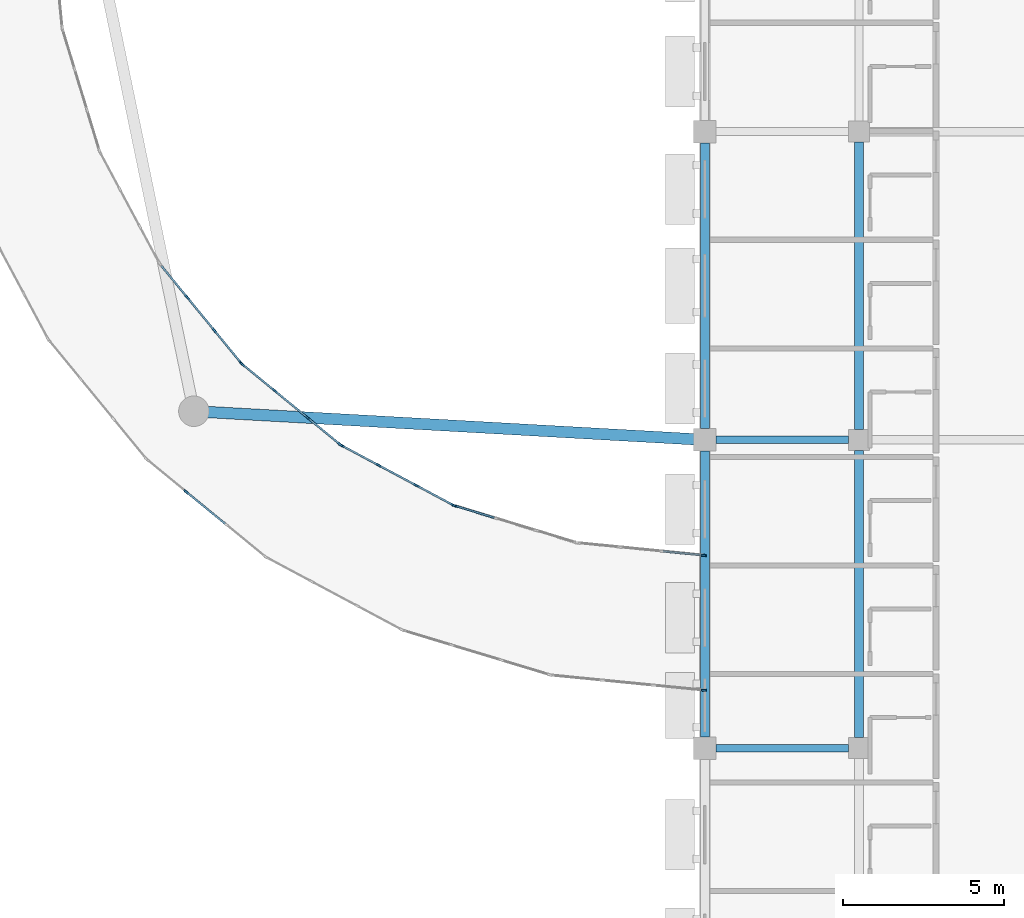
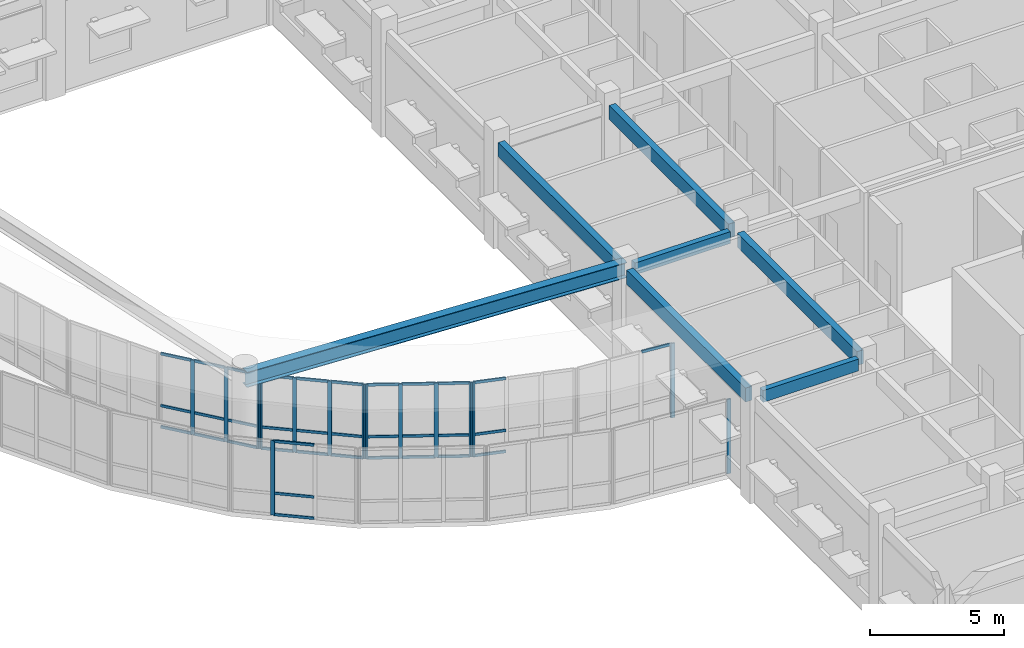
# One storey, part 30 of 68: 49 members, 7 beams, 7 elements without a shape of their own.
"""IFC4 building model written with IfcOpenShell, lengths in metres."""

from ifc_helpers import new_model, si_unit, direction, frame, origin, origin_2d, place, context, subcontext, project, spatial, rectangle, i_section, extrude, material, material_profile, profile_set, type_object, element, aggregate, save


model = new_model("IFC4")

# Units and contexts
model_context = context("Model", 3, precision=1e-05, world=origin(), true_north=direction((0.0, 1.0)))
body_context = subcontext(model_context, "Body", "Model", "MODEL_VIEW")
ifc_project = project(units=[si_unit("LENGTHUNIT", "METRE"), si_unit("AREAUNIT", "SQUARE_METRE"), si_unit("VOLUMEUNIT", "CUBIC_METRE"), si_unit("PLANEANGLEUNIT", "RADIAN"), si_unit("MASSUNIT", "GRAM", prefix="KILO")], contexts=[model_context])

# Site, building, storey
site_placement = place(None, origin())
site = spatial("IfcSite", under=ifc_project, at=site_placement, CompositionType="ELEMENT")
building_placement = place(site_placement, origin())
building = spatial("IfcBuilding", under=site, at=building_placement, Name="Veldera Park Congress Hotel", CompositionType="ELEMENT")
storey_placement = place(building_placement, frame((0.0, 0.0, 10.800048828125)))
storey = spatial("IfcBuildingStorey", under=building, at=storey_placement, Name="L02", CompositionType="ELEMENT", Elevation=10.800048828125)

# Beams
ifc_material_1 = material(Name="Glulam GL28h (NDS 24F-V4)", Category="wood")
ifc_material_profile_1 = material_profile(ifc_material_1, rectangle(XDim=0.239990234375, YDim=0.5400390625, at=origin_2d()), Name="GL28h 240x540")
ifc_profile_set_1 = profile_set([ifc_material_profile_1], Name="Glulam GL28h (NDS 24F-V4)")
beam_type_1 = type_object("IfcBeamType", Name="BM-GL540", PredefinedType="BEAM", material=ifc_profile_set_1)
for number, where, z_axis, x_axis, name in (
    (1, (61.14990234375, -9.0, 4.530029296875), (1.0, 0.0, 0.0), (0.0, 1.0, 0.0), "L02 Girder BM-GL540 852"),
    (2, (61.14990234375, 0.60009765625, 4.530029296875), (1.0, 0.0, 0.0), (0.0, 1.0, 0.0), "L02 Girder BM-GL540 856"),
):
    element("IfcBeam", number, at=place(storey_placement, frame(where, z_axis=z_axis, x_axis=x_axis)), inside=storey, type_object=beam_type_1, Name=name, PredefinedType="BEAM", context=body_context, shape_type="SweptSolid", body=[
        extrude(rectangle(XDim=0.239990234375, YDim=0.5400390625, at=origin_2d()), origin(), (0.0, 0.0, 1.0), 4.125),
    ])
ifc_material_profile_2 = material_profile(ifc_material_1, rectangle(XDim=0.280029296875, YDim=0.639892578125, at=origin_2d()), Name="GL28h 280x640")
ifc_profile_set_2 = profile_set([ifc_material_profile_2], Name="Glulam GL28h (NDS 24F-V4)")
beam_type_2 = type_object("IfcBeamType", Name="BM-GL640", PredefinedType="BEAM", material=ifc_profile_set_2)
beam_1_placement = place(storey_placement, frame((60.800048828125, -8.64990234375, 4.47998046875), z_axis=(0.0, 1.0, 0.0), x_axis=(-1.0, 0.0, 0.0)))
element("IfcBeam", 3, at=beam_1_placement, inside=storey, type_object=beam_type_2, Name="L02 Girder BM-GL640 993", PredefinedType="BEAM", context=body_context, shape_type="SweptSolid", body=[
    extrude(rectangle(XDim=0.280029296875, YDim=0.639892578125, at=origin_2d()), origin(), (0.0, 0.0, 1.0), 8.89990234375),
])
beam_2_placement = place(storey_placement, frame((60.800048828125, 0.949951171875, 4.47998046875), z_axis=(0.0, 1.0, 0.0), x_axis=(-1.0, 0.0, 0.0)))
element("IfcBeam", 4, at=beam_2_placement, inside=storey, type_object=beam_type_2, Name="L02 Girder BM-GL640 994", PredefinedType="BEAM", context=body_context, shape_type="SweptSolid", body=[
    extrude(rectangle(XDim=0.280029296875, YDim=0.639892578125, at=origin_2d()), origin(), (0.0, 0.0, 1.0), 8.900146484375),
])
for number, where, z_axis, x_axis, name in (
    (5, (65.60009765625, -8.675048828125, 4.47998046875), (0.0, 1.0, 0.0), (-1.0, 0.0, 0.0), "L02 Girder BM-GL640 1000"),
    (6, (65.60009765625, 0.925048828125, 4.47998046875), (0.0, 1.0, 0.0), (-1.0, 0.0, 0.0), "L02 Girder BM-GL640 1001"),
):
    element("IfcBeam", number, at=place(storey_placement, frame(where, z_axis=z_axis, x_axis=x_axis)), inside=storey, type_object=beam_type_2, Name=name, PredefinedType="BEAM", context=body_context, shape_type="SweptSolid", body=[
        extrude(rectangle(XDim=0.280029296875, YDim=0.639892578125, at=origin_2d()), origin(), (0.0, 0.0, 1.0), 8.949951171875),
    ])
ifc_material_2 = material(Name="Steel ASTM A992 Gr.50", Category="steel")
ifc_material_profile_3 = material_profile(ifc_material_2, i_section(OverallWidth=0.35498046875, OverallDepth=0.696044921875, WebThickness=0.015380859375, FlangeThickness=0.02490234375, at=origin_2d()), Name="W27X146")
ifc_profile_set_3 = profile_set([ifc_material_profile_3], Name="Steel ASTM A992 Gr.50")
beam_type_3 = type_object("IfcBeamType", Name="BM-W27E", PredefinedType="BEAM", material=ifc_profile_set_3)
beam_3_placement = place(storey_placement, frame((60.800048828125, 0.60009765625, 4.64990234375), z_axis=(-0.998439398409, 0.055845928264, 0.0), x_axis=(-0.055845928264, -0.998439398409, 0.0)))
element("IfcBeam", 7, at=beam_3_placement, inside=storey, type_object=beam_type_3, Name="L02 Skybridge Support Girder A E", PredefinedType="BEAM", context=body_context, shape_type="SweptSolid", body=[
    extrude(i_section(OverallWidth=0.35498046875, OverallDepth=0.696044921875, WebThickness=0.015380859375, FlangeThickness=0.02490234375, at=origin_2d()), origin(), (0.0, 0.0, 1.0), 15.934814453125),
])

# Curtain wall, member
ifc_material_3 = material(Name="Low-E Triple Insulating Glass Unit (SHGC 0.22)", Category="glass")
curtain_wall_type = type_object("IfcCurtainWallType", Name="CW-BRG", PredefinedType="NOTDEFINED", material=ifc_material_3)
curtain_wall_1_placement = place(storey_placement, origin())
curtain_wall_1 = element("IfcCurtainWall", 8, at=curtain_wall_1_placement, inside=storey, type_object=curtain_wall_type, Name="L02 Curtain Wall CW3-BRGE-L02-A04", PredefinedType="NOTDEFINED")
ifc_material_4 = material(Name="Anodised Aluminium Alloy 6063-T6", Category="aluminium")
ifc_material_profile_4 = material_profile(ifc_material_4, rectangle(XDim=0.06005859375, YDim=0.159912109375, at=origin_2d()), Name="ALU 60x160")
ifc_profile_set_4 = profile_set([ifc_material_profile_4], Name="Anodised Aluminium Alloy 6063-T6")
member_type_1 = type_object("IfcMemberType", Name="CWM-160", PredefinedType="MULLION", material=ifc_profile_set_4)
member_1_placement = place(storey_placement, frame((44.647705078125, -1.0146484375, 0.0), z_axis=(0.0, 0.0, 1.0), x_axis=(0.634402404183, 0.773002968666, 0.0)))
member_1 = element("IfcMember", 9, at=member_1_placement, type_object=member_type_1, Name="CW-BRG mullion 2", PredefinedType="MULLION", context=body_context, shape_type="SweptSolid", body=[
    extrude(rectangle(XDim=0.06005859375, YDim=0.159912109375, at=origin_2d()), origin(), (0.0, 0.0, 1.0), 3.39990234375),
])

curtain_wall_2_placement = place(storey_placement, origin())
curtain_wall_2 = element("IfcCurtainWall", 10, at=curtain_wall_2_placement, inside=storey, type_object=curtain_wall_type, Name="L02 Curtain Wall CW3-BRGE-L02-A07", PredefinedType="NOTDEFINED")
member_2_placement = place(storey_placement, frame((60.770263671875, -7.197021484375, 0.0), z_axis=(0.0, 0.0, 1.0), x_axis=(0.098021259481, 0.995184320963, 0.0)))
member_2 = element("IfcMember", 11, at=member_2_placement, type_object=member_type_1, Name="CW-BRG mullion 4", PredefinedType="MULLION", context=body_context, shape_type="SweptSolid", body=[
    extrude(rectangle(XDim=0.06005859375, YDim=0.159912109375, at=origin_2d()), origin(), (0.0, 0.0, 1.0), 3.39990234375),
])
aggregate(curtain_wall_2, [member_2])

curtain_wall_3_placement = place(storey_placement, origin())
curtain_wall_3 = element("IfcCurtainWall", 12, at=curtain_wall_3_placement, inside=storey, type_object=curtain_wall_type, Name="L02 Curtain Wall CW3-BRGE-L02-B09", PredefinedType="NOTDEFINED")
member_3_placement = place(storey_placement, frame((60.770263671875, -2.9970703125, 0.0), z_axis=(0.0, 0.0, 1.0), x_axis=(-0.098023062513, -0.99518414337, 0.0)))
member_3 = element("IfcMember", 13, at=member_3_placement, type_object=member_type_1, Name="CW-BRG mullion 1", PredefinedType="MULLION", context=body_context, shape_type="SweptSolid", body=[
    extrude(rectangle(XDim=0.06005859375, YDim=0.159912109375, at=origin_2d()), origin(), (0.0, 0.0, 1.0), 3.39990234375),
])

curtain_wall_4_placement = place(storey_placement, origin())
curtain_wall_4 = element("IfcCurtainWall", 14, at=curtain_wall_4_placement, inside=storey, type_object=curtain_wall_type, Name="L02 Curtain Wall CW3-BRGE-L02-B10", PredefinedType="NOTDEFINED")
member_4_placement = place(storey_placement, frame((53.02197265625, -1.455810546875, 0.0), z_axis=(0.0, 0.0, 1.0), x_axis=(-0.290289846929, -0.956938767513, 0.0)))
member_4 = element("IfcMember", 15, at=member_4_placement, type_object=member_type_1, Name="CW-BRG mullion 4", PredefinedType="MULLION", context=body_context, shape_type="SweptSolid", body=[
    extrude(rectangle(XDim=0.06005859375, YDim=0.159912109375, at=origin_2d()), origin(), (0.0, 0.0, 1.0), 3.39990234375),
])

# Curtain wall, members
curtain_wall_5_placement = place(storey_placement, origin())
curtain_wall_5 = element("IfcCurtainWall", 16, at=curtain_wall_5_placement, inside=storey, type_object=curtain_wall_type, Name="L02 Curtain Wall CW3-BRGE-L02-B11", PredefinedType="NOTDEFINED")
member_5_placement = place(storey_placement, frame((52.966796875, -1.432861328125, 0.0), z_axis=(0.0, 0.0, 1.0), x_axis=(-0.471383642588, -0.881928263239, 0.0)))
member_5 = element("IfcMember", 17, at=member_5_placement, type_object=member_type_1, Name="CW-BRG mullion 1", PredefinedType="MULLION", context=body_context, shape_type="SweptSolid", body=[
    extrude(rectangle(XDim=0.06005859375, YDim=0.159912109375, at=origin_2d()), origin(), (0.0, 0.0, 1.0), 3.39990234375),
])
member_6_placement = place(storey_placement, frame((51.817626953125, -0.81884765625, 0.0), z_axis=(0.0, 0.0, 1.0), x_axis=(-0.471383642588, -0.881928263239, 0.0)))
member_6 = element("IfcMember", 18, at=member_6_placement, type_object=member_type_1, Name="CW-BRG mullion 2", PredefinedType="MULLION", context=body_context, shape_type="SweptSolid", body=[
    extrude(rectangle(XDim=0.06005859375, YDim=0.159912109375, at=origin_2d()), origin(), (0.0, 0.0, 1.0), 3.39990234375),
])
member_7_placement = place(storey_placement, frame((50.64208984375, -0.1904296875, 0.0), z_axis=(0.0, 0.0, 1.0), x_axis=(-0.471383642588, -0.881928263239, 0.0)))
member_7 = element("IfcMember", 19, at=member_7_placement, type_object=member_type_1, Name="CW-BRG mullion 3", PredefinedType="MULLION", context=body_context, shape_type="SweptSolid", body=[
    extrude(rectangle(XDim=0.06005859375, YDim=0.159912109375, at=origin_2d()), origin(), (0.0, 0.0, 1.0), 3.39990234375),
])
member_8_placement = place(storey_placement, frame((49.492919921875, 0.423828125, 0.0), z_axis=(0.0, 0.0, 1.0), x_axis=(-0.471383642588, -0.881928263239, 0.0)))
member_8 = element("IfcMember", 20, at=member_8_placement, type_object=member_type_1, Name="CW-BRG mullion 4", PredefinedType="MULLION", context=body_context, shape_type="SweptSolid", body=[
    extrude(rectangle(XDim=0.06005859375, YDim=0.159912109375, at=origin_2d()), origin(), (0.0, 0.0, 1.0), 3.39990234375),
])

curtain_wall_6_placement = place(storey_placement, origin())
curtain_wall_6 = element("IfcCurtainWall", 21, at=curtain_wall_6_placement, inside=storey, type_object=curtain_wall_type, Name="L02 Curtain Wall CW3-BRGE-L02-B12", PredefinedType="NOTDEFINED")
member_9_placement = place(storey_placement, frame((49.443115234375, 0.45703125, 0.0), z_axis=(0.0, 0.0, 1.0), x_axis=(-0.634386349036, -0.773016144823, 0.0)))
member_9 = element("IfcMember", 22, at=member_9_placement, type_object=member_type_1, Name="CW-BRG mullion 1", PredefinedType="MULLION", context=body_context, shape_type="SweptSolid", body=[
    extrude(rectangle(XDim=0.06005859375, YDim=0.159912109375, at=origin_2d()), origin(), (0.0, 0.0, 1.0), 3.39990234375),
])
member_10_placement = place(storey_placement, frame((48.43603515625, 1.28369140625, 0.0), z_axis=(0.0, 0.0, 1.0), x_axis=(-0.634386349036, -0.773016144823, 0.0)))
member_10 = element("IfcMember", 23, at=member_10_placement, type_object=member_type_1, Name="CW-BRG mullion 2", PredefinedType="MULLION", context=body_context, shape_type="SweptSolid", body=[
    extrude(rectangle(XDim=0.06005859375, YDim=0.159912109375, at=origin_2d()), origin(), (0.0, 0.0, 1.0), 3.39990234375),
])
member_11_placement = place(storey_placement, frame((47.405517578125, 2.12939453125, 0.0), z_axis=(0.0, 0.0, 1.0), x_axis=(-0.634386349036, -0.773016144823, 0.0)))
member_11 = element("IfcMember", 24, at=member_11_placement, type_object=member_type_1, Name="CW-BRG mullion 3", PredefinedType="MULLION", context=body_context, shape_type="SweptSolid", body=[
    extrude(rectangle(XDim=0.06005859375, YDim=0.159912109375, at=origin_2d()), origin(), (0.0, 0.0, 1.0), 3.39990234375),
])
member_12_placement = place(storey_placement, frame((46.398193359375, 2.9560546875, 0.0), z_axis=(0.0, 0.0, 1.0), x_axis=(-0.634386349036, -0.773016144823, 0.0)))
member_12 = element("IfcMember", 25, at=member_12_placement, type_object=member_type_1, Name="CW-BRG mullion 4", PredefinedType="MULLION", context=body_context, shape_type="SweptSolid", body=[
    extrude(rectangle(XDim=0.06005859375, YDim=0.159912109375, at=origin_2d()), origin(), (0.0, 0.0, 1.0), 3.39990234375),
])

curtain_wall_7_placement = place(storey_placement, origin())
curtain_wall_7 = element("IfcCurtainWall", 26, at=curtain_wall_7_placement, inside=storey, type_object=curtain_wall_type, Name="L02 Curtain Wall CW3-BRGE-L02-B13", PredefinedType="NOTDEFINED")
member_13_placement = place(storey_placement, frame((46.35595703125, 2.998291015625, 0.0), z_axis=(0.0, 0.0, 1.0), x_axis=(-0.773016144823, -0.634386349036, 0.0)))
member_13 = element("IfcMember", 27, at=member_13_placement, type_object=member_type_1, Name="CW-BRG mullion 1", PredefinedType="MULLION", context=body_context, shape_type="SweptSolid", body=[
    extrude(rectangle(XDim=0.06005859375, YDim=0.159912109375, at=origin_2d()), origin(), (0.0, 0.0, 1.0), 3.39990234375),
])
member_14_placement = place(storey_placement, frame((45.529296875, 4.00537109375, 0.0), z_axis=(0.0, 0.0, 1.0), x_axis=(-0.773016144823, -0.634386349036, 0.0)))
member_14 = element("IfcMember", 28, at=member_14_placement, type_object=member_type_1, Name="CW-BRG mullion 2", PredefinedType="MULLION", context=body_context, shape_type="SweptSolid", body=[
    extrude(rectangle(XDim=0.06005859375, YDim=0.159912109375, at=origin_2d()), origin(), (0.0, 0.0, 1.0), 3.39990234375),
])
member_15_placement = place(storey_placement, frame((44.68359375, 5.035888671875, 0.0), z_axis=(0.0, 0.0, 1.0), x_axis=(-0.773016144823, -0.634386349036, 0.0)))
member_15 = element("IfcMember", 29, at=member_15_placement, type_object=member_type_1, Name="CW-BRG mullion 3", PredefinedType="MULLION", context=body_context, shape_type="SweptSolid", body=[
    extrude(rectangle(XDim=0.06005859375, YDim=0.159912109375, at=origin_2d()), origin(), (0.0, 0.0, 1.0), 3.39990234375),
])

# Member
ifc_material_profile_5 = material_profile(ifc_material_4, rectangle(XDim=0.06005859375, YDim=0.1201171875, at=origin_2d()), Name="ALU 60x120")
ifc_profile_set_5 = profile_set([ifc_material_profile_5], Name="Anodised Aluminium Alloy 6063-T6")
member_type_2 = type_object("IfcMemberType", Name="CWT-120", PredefinedType="USERDEFINED", material=ifc_profile_set_5)
member_16_placement = place(storey_placement, frame((44.6708984375, -1.03369140625, 0.030029296875), z_axis=(0.773035679716, -0.634362544518, 0.0), x_axis=(0.634362544518, 0.773035679716, 0.0)))
member_16 = element("IfcMember", 30, at=member_16_placement, type_object=member_type_2, Name="CW-BRG transom 2.1", ObjectType="TRANSOM", PredefinedType="USERDEFINED", context=body_context, shape_type="SweptSolid", body=[
    extrude(rectangle(XDim=0.06005859375, YDim=0.1201171875, at=origin_2d()), origin(), (0.0, 0.0, 1.0), 1.547607421875),
])

member_17_placement = place(storey_placement, frame((44.6708984375, -1.03369140625, 1.0), z_axis=(0.773035679716, -0.634362544518, 0.0), x_axis=(0.634362544518, 0.773035679716, 0.0)))
member_17 = element("IfcMember", 31, at=member_17_placement, type_object=member_type_2, Name="CW-BRG transom 2.2", ObjectType="TRANSOM", PredefinedType="USERDEFINED", context=body_context, shape_type="SweptSolid", body=[
    extrude(rectangle(XDim=0.06005859375, YDim=0.1201171875, at=origin_2d()), origin(), (0.0, 0.0, 1.0), 1.547607421875),
])

member_18_placement = place(storey_placement, frame((44.6708984375, -1.03369140625, 3.369873046875), z_axis=(0.773035679716, -0.634362544518, 0.0), x_axis=(0.634362544518, 0.773035679716, 0.0)))
member_18 = element("IfcMember", 32, at=member_18_placement, type_object=member_type_2, Name="CW-BRG transom 2.3", ObjectType="TRANSOM", PredefinedType="USERDEFINED", context=body_context, shape_type="SweptSolid", body=[
    extrude(rectangle(XDim=0.06005859375, YDim=0.1201171875, at=origin_2d()), origin(), (0.0, 0.0, 1.0), 1.547607421875),
])

aggregate(curtain_wall_1, [member_1, member_16, member_17, member_18])

member_19_placement = place(storey_placement, frame((60.740234375, -2.994140625, 3.369873046875), z_axis=(-0.995185798349, 0.098006258807, 0.0), x_axis=(-0.098006258807, -0.995185798349, 0.0)))
member_19 = element("IfcMember", 33, at=member_19_placement, type_object=member_type_2, Name="CW-BRG transom 1.3", ObjectType="TRANSOM", PredefinedType="USERDEFINED", context=body_context, shape_type="SweptSolid", body=[
    extrude(rectangle(XDim=0.06005859375, YDim=0.1201171875, at=origin_2d()), origin(), (0.0, 0.0, 1.0), 1.2431640625),
])

aggregate(curtain_wall_3, [member_3, member_19])

member_20_placement = place(storey_placement, frame((54.240234375, -1.825439453125, 0.030029296875), z_axis=(-0.956935154583, 0.290301756665, 0.0), x_axis=(-0.290301756665, -0.956935154583, 0.0)))
member_20 = element("IfcMember", 34, at=member_20_placement, type_object=member_type_2, Name="CW-BRG transom 3.1", ObjectType="TRANSOM", PredefinedType="USERDEFINED", context=body_context, shape_type="SweptSolid", body=[
    extrude(rectangle(XDim=0.06005859375, YDim=0.1201171875, at=origin_2d()), origin(), (0.0, 0.0, 1.0), 1.242919921875),
])

member_21_placement = place(storey_placement, frame((54.240234375, -1.825439453125, 1.0), z_axis=(-0.956935154583, 0.290301756665, 0.0), x_axis=(-0.290301756665, -0.956935154583, 0.0)))
member_21 = element("IfcMember", 35, at=member_21_placement, type_object=member_type_2, Name="CW-BRG transom 3.2", ObjectType="TRANSOM", PredefinedType="USERDEFINED", context=body_context, shape_type="SweptSolid", body=[
    extrude(rectangle(XDim=0.06005859375, YDim=0.1201171875, at=origin_2d()), origin(), (0.0, 0.0, 1.0), 1.242919921875),
])

member_22_placement = place(storey_placement, frame((54.240234375, -1.825439453125, 3.369873046875), z_axis=(-0.956935154583, 0.290301756665, 0.0), x_axis=(-0.290301756665, -0.956935154583, 0.0)))
member_22 = element("IfcMember", 36, at=member_22_placement, type_object=member_type_2, Name="CW-BRG transom 3.3", ObjectType="TRANSOM", PredefinedType="USERDEFINED", context=body_context, shape_type="SweptSolid", body=[
    extrude(rectangle(XDim=0.06005859375, YDim=0.1201171875, at=origin_2d()), origin(), (0.0, 0.0, 1.0), 1.242919921875),
])

aggregate(curtain_wall_4, [member_4, member_20, member_21, member_22])

member_23_placement = place(storey_placement, frame((52.9404296875, -1.418701171875, 0.030029296875), z_axis=(-0.881917589752, 0.471403611449, 0.0), x_axis=(-0.471403611449, -0.881917589752, 0.0)))
member_23 = element("IfcMember", 37, at=member_23_placement, type_object=member_type_2, Name="CW-BRG transom 1.1", ObjectType="TRANSOM", PredefinedType="USERDEFINED", context=body_context, shape_type="SweptSolid", body=[
    extrude(rectangle(XDim=0.06005859375, YDim=0.1201171875, at=origin_2d()), origin(), (0.0, 0.0, 1.0), 1.242919921875),
])

member_24_placement = place(storey_placement, frame((52.9404296875, -1.418701171875, 1.0), z_axis=(-0.881917589752, 0.471403611449, 0.0), x_axis=(-0.471403611449, -0.881917589752, 0.0)))
member_24 = element("IfcMember", 38, at=member_24_placement, type_object=member_type_2, Name="CW-BRG transom 1.2", ObjectType="TRANSOM", PredefinedType="USERDEFINED", context=body_context, shape_type="SweptSolid", body=[
    extrude(rectangle(XDim=0.06005859375, YDim=0.1201171875, at=origin_2d()), origin(), (0.0, 0.0, 1.0), 1.242919921875),
])

member_25_placement = place(storey_placement, frame((52.9404296875, -1.418701171875, 3.369873046875), z_axis=(-0.881917589752, 0.471403611449, 0.0), x_axis=(-0.471403611449, -0.881917589752, 0.0)))
member_25 = element("IfcMember", 39, at=member_25_placement, type_object=member_type_2, Name="CW-BRG transom 1.3", ObjectType="TRANSOM", PredefinedType="USERDEFINED", context=body_context, shape_type="SweptSolid", body=[
    extrude(rectangle(XDim=0.06005859375, YDim=0.1201171875, at=origin_2d()), origin(), (0.0, 0.0, 1.0), 1.242919921875),
])

member_26_placement = place(storey_placement, frame((51.791259765625, -0.8046875, 0.030029296875), z_axis=(-0.88193854117, 0.471364412741, 0.0), x_axis=(-0.471364412741, -0.88193854117, 0.0)))
member_26 = element("IfcMember", 40, at=member_26_placement, type_object=member_type_2, Name="CW-BRG transom 2.1", ObjectType="TRANSOM", PredefinedType="USERDEFINED", context=body_context, shape_type="SweptSolid", body=[
    extrude(rectangle(XDim=0.06005859375, YDim=0.1201171875, at=origin_2d()), origin(), (0.0, 0.0, 1.0), 1.273193359375),
])

member_27_placement = place(storey_placement, frame((51.791259765625, -0.8046875, 1.0), z_axis=(-0.88193854117, 0.471364412741, 0.0), x_axis=(-0.471364412741, -0.88193854117, 0.0)))
member_27 = element("IfcMember", 41, at=member_27_placement, type_object=member_type_2, Name="CW-BRG transom 2.2", ObjectType="TRANSOM", PredefinedType="USERDEFINED", context=body_context, shape_type="SweptSolid", body=[
    extrude(rectangle(XDim=0.06005859375, YDim=0.1201171875, at=origin_2d()), origin(), (0.0, 0.0, 1.0), 1.273193359375),
])

member_28_placement = place(storey_placement, frame((51.791259765625, -0.8046875, 3.369873046875), z_axis=(-0.88193854117, 0.471364412741, 0.0), x_axis=(-0.471364412741, -0.88193854117, 0.0)))
member_28 = element("IfcMember", 42, at=member_28_placement, type_object=member_type_2, Name="CW-BRG transom 2.3", ObjectType="TRANSOM", PredefinedType="USERDEFINED", context=body_context, shape_type="SweptSolid", body=[
    extrude(rectangle(XDim=0.06005859375, YDim=0.1201171875, at=origin_2d()), origin(), (0.0, 0.0, 1.0), 1.273193359375),
])

member_29_placement = place(storey_placement, frame((50.615478515625, -0.17626953125, 0.030029296875), z_axis=(-0.881917589752, 0.471403611449, 0.0), x_axis=(-0.471403611449, -0.881917589752, 0.0)))
member_29 = element("IfcMember", 43, at=member_29_placement, type_object=member_type_2, Name="CW-BRG transom 3.1", ObjectType="TRANSOM", PredefinedType="USERDEFINED", context=body_context, shape_type="SweptSolid", body=[
    extrude(rectangle(XDim=0.06005859375, YDim=0.1201171875, at=origin_2d()), origin(), (0.0, 0.0, 1.0), 1.242919921875),
])

member_30_placement = place(storey_placement, frame((50.615478515625, -0.17626953125, 1.0), z_axis=(-0.881917589752, 0.471403611449, 0.0), x_axis=(-0.471403611449, -0.881917589752, 0.0)))
member_30 = element("IfcMember", 44, at=member_30_placement, type_object=member_type_2, Name="CW-BRG transom 3.2", ObjectType="TRANSOM", PredefinedType="USERDEFINED", context=body_context, shape_type="SweptSolid", body=[
    extrude(rectangle(XDim=0.06005859375, YDim=0.1201171875, at=origin_2d()), origin(), (0.0, 0.0, 1.0), 1.242919921875),
])

member_31_placement = place(storey_placement, frame((50.615478515625, -0.17626953125, 3.369873046875), z_axis=(-0.881917589752, 0.471403611449, 0.0), x_axis=(-0.471403611449, -0.881917589752, 0.0)))
member_31 = element("IfcMember", 45, at=member_31_placement, type_object=member_type_2, Name="CW-BRG transom 3.3", ObjectType="TRANSOM", PredefinedType="USERDEFINED", context=body_context, shape_type="SweptSolid", body=[
    extrude(rectangle(XDim=0.06005859375, YDim=0.1201171875, at=origin_2d()), origin(), (0.0, 0.0, 1.0), 1.242919921875),
])

aggregate(curtain_wall_5, [member_5, member_6, member_7, member_8, member_23, member_24, member_25, member_26, member_27, member_28, member_29, member_30, member_31])

member_32_placement = place(storey_placement, frame((49.419921875, 0.47607421875, 0.030029296875), z_axis=(-0.772949863843, 0.634467105518, 0.0), x_axis=(-0.634467105518, -0.772949863843, 0.0)))
member_32 = element("IfcMember", 46, at=member_32_placement, type_object=member_type_2, Name="CW-BRG transom 1.1", ObjectType="TRANSOM", PredefinedType="USERDEFINED", context=body_context, shape_type="SweptSolid", body=[
    extrude(rectangle(XDim=0.06005859375, YDim=0.1201171875, at=origin_2d()), origin(), (0.0, 0.0, 1.0), 1.242919921875),
])

member_33_placement = place(storey_placement, frame((49.419921875, 0.47607421875, 1.0), z_axis=(-0.772949863843, 0.634467105518, 0.0), x_axis=(-0.634467105518, -0.772949863843, 0.0)))
member_33 = element("IfcMember", 47, at=member_33_placement, type_object=member_type_2, Name="CW-BRG transom 1.2", ObjectType="TRANSOM", PredefinedType="USERDEFINED", context=body_context, shape_type="SweptSolid", body=[
    extrude(rectangle(XDim=0.06005859375, YDim=0.1201171875, at=origin_2d()), origin(), (0.0, 0.0, 1.0), 1.242919921875),
])

member_34_placement = place(storey_placement, frame((49.419921875, 0.47607421875, 3.369873046875), z_axis=(-0.772949863843, 0.634467105518, 0.0), x_axis=(-0.634467105518, -0.772949863843, 0.0)))
member_34 = element("IfcMember", 48, at=member_34_placement, type_object=member_type_2, Name="CW-BRG transom 1.3", ObjectType="TRANSOM", PredefinedType="USERDEFINED", context=body_context, shape_type="SweptSolid", body=[
    extrude(rectangle(XDim=0.06005859375, YDim=0.1201171875, at=origin_2d()), origin(), (0.0, 0.0, 1.0), 1.242919921875),
])

member_35_placement = place(storey_placement, frame((48.412841796875, 1.302734375, 0.030029296875), z_axis=(-0.773025143163, 0.634375384168, 0.0), x_axis=(-0.634375384168, -0.773025143163, 0.0)))
member_35 = element("IfcMember", 49, at=member_35_placement, type_object=member_type_2, Name="CW-BRG transom 2.1", ObjectType="TRANSOM", PredefinedType="USERDEFINED", context=body_context, shape_type="SweptSolid", body=[
    extrude(rectangle(XDim=0.06005859375, YDim=0.1201171875, at=origin_2d()), origin(), (0.0, 0.0, 1.0), 1.273193359375),
])

member_36_placement = place(storey_placement, frame((48.412841796875, 1.302734375, 1.0), z_axis=(-0.773025143163, 0.634375384168, 0.0), x_axis=(-0.634375384168, -0.773025143163, 0.0)))
member_36 = element("IfcMember", 50, at=member_36_placement, type_object=member_type_2, Name="CW-BRG transom 2.2", ObjectType="TRANSOM", PredefinedType="USERDEFINED", context=body_context, shape_type="SweptSolid", body=[
    extrude(rectangle(XDim=0.06005859375, YDim=0.1201171875, at=origin_2d()), origin(), (0.0, 0.0, 1.0), 1.273193359375),
])

member_37_placement = place(storey_placement, frame((48.412841796875, 1.302734375, 3.369873046875), z_axis=(-0.773025143163, 0.634375384168, 0.0), x_axis=(-0.634375384168, -0.773025143163, 0.0)))
member_37 = element("IfcMember", 51, at=member_37_placement, type_object=member_type_2, Name="CW-BRG transom 2.3", ObjectType="TRANSOM", PredefinedType="USERDEFINED", context=body_context, shape_type="SweptSolid", body=[
    extrude(rectangle(XDim=0.06005859375, YDim=0.1201171875, at=origin_2d()), origin(), (0.0, 0.0, 1.0), 1.273193359375),
])

member_38_placement = place(storey_placement, frame((47.38232421875, 2.1484375, 0.030029296875), z_axis=(-0.773028918218, 0.634370784005, 0.0), x_axis=(-0.634370784005, -0.773028918218, 0.0)))
member_38 = element("IfcMember", 52, at=member_38_placement, type_object=member_type_2, Name="CW-BRG transom 3.1", ObjectType="TRANSOM", PredefinedType="USERDEFINED", context=body_context, shape_type="SweptSolid", body=[
    extrude(rectangle(XDim=0.06005859375, YDim=0.1201171875, at=origin_2d()), origin(), (0.0, 0.0, 1.0), 1.2431640625),
])

member_39_placement = place(storey_placement, frame((47.38232421875, 2.1484375, 1.0), z_axis=(-0.773028918218, 0.634370784005, 0.0), x_axis=(-0.634370784005, -0.773028918218, 0.0)))
member_39 = element("IfcMember", 53, at=member_39_placement, type_object=member_type_2, Name="CW-BRG transom 3.2", ObjectType="TRANSOM", PredefinedType="USERDEFINED", context=body_context, shape_type="SweptSolid", body=[
    extrude(rectangle(XDim=0.06005859375, YDim=0.1201171875, at=origin_2d()), origin(), (0.0, 0.0, 1.0), 1.2431640625),
])

member_40_placement = place(storey_placement, frame((47.38232421875, 2.1484375, 3.369873046875), z_axis=(-0.773028918218, 0.634370784005, 0.0), x_axis=(-0.634370784005, -0.773028918218, 0.0)))
member_40 = element("IfcMember", 54, at=member_40_placement, type_object=member_type_2, Name="CW-BRG transom 3.3", ObjectType="TRANSOM", PredefinedType="USERDEFINED", context=body_context, shape_type="SweptSolid", body=[
    extrude(rectangle(XDim=0.06005859375, YDim=0.1201171875, at=origin_2d()), origin(), (0.0, 0.0, 1.0), 1.2431640625),
])

aggregate(curtain_wall_6, [member_9, member_10, member_11, member_12, member_32, member_33, member_34, member_35, member_36, member_37, member_38, member_39, member_40])

member_41_placement = place(storey_placement, frame((46.3369140625, 3.021484375, 0.030029296875), z_axis=(-0.634467105518, 0.772949863843, 0.0), x_axis=(-0.772949863843, -0.634467105518, 0.0)))
member_41 = element("IfcMember", 55, at=member_41_placement, type_object=member_type_2, Name="CW-BRG transom 1.1", ObjectType="TRANSOM", PredefinedType="USERDEFINED", context=body_context, shape_type="SweptSolid", body=[
    extrude(rectangle(XDim=0.06005859375, YDim=0.1201171875, at=origin_2d()), origin(), (0.0, 0.0, 1.0), 1.242919921875),
])

member_42_placement = place(storey_placement, frame((46.3369140625, 3.021484375, 1.0), z_axis=(-0.634467105518, 0.772949863843, 0.0), x_axis=(-0.772949863843, -0.634467105518, 0.0)))
member_42 = element("IfcMember", 56, at=member_42_placement, type_object=member_type_2, Name="CW-BRG transom 1.2", ObjectType="TRANSOM", PredefinedType="USERDEFINED", context=body_context, shape_type="SweptSolid", body=[
    extrude(rectangle(XDim=0.06005859375, YDim=0.1201171875, at=origin_2d()), origin(), (0.0, 0.0, 1.0), 1.242919921875),
])

member_43_placement = place(storey_placement, frame((46.3369140625, 3.021484375, 3.369873046875), z_axis=(-0.634467105518, 0.772949863843, 0.0), x_axis=(-0.772949863843, -0.634467105518, 0.0)))
member_43 = element("IfcMember", 57, at=member_43_placement, type_object=member_type_2, Name="CW-BRG transom 1.3", ObjectType="TRANSOM", PredefinedType="USERDEFINED", context=body_context, shape_type="SweptSolid", body=[
    extrude(rectangle(XDim=0.06005859375, YDim=0.1201171875, at=origin_2d()), origin(), (0.0, 0.0, 1.0), 1.242919921875),
])

member_44_placement = place(storey_placement, frame((45.51025390625, 4.028564453125, 0.030029296875), z_axis=(-0.634375384168, 0.773025143163, 0.0), x_axis=(-0.773025143163, -0.634375384168, 0.0)))
member_44 = element("IfcMember", 58, at=member_44_placement, type_object=member_type_2, Name="CW-BRG transom 2.1", ObjectType="TRANSOM", PredefinedType="USERDEFINED", context=body_context, shape_type="SweptSolid", body=[
    extrude(rectangle(XDim=0.06005859375, YDim=0.1201171875, at=origin_2d()), origin(), (0.0, 0.0, 1.0), 1.273193359375),
])

member_45_placement = place(storey_placement, frame((45.51025390625, 4.028564453125, 1.0), z_axis=(-0.634375384168, 0.773025143163, 0.0), x_axis=(-0.773025143163, -0.634375384168, 0.0)))
member_45 = element("IfcMember", 59, at=member_45_placement, type_object=member_type_2, Name="CW-BRG transom 2.2", ObjectType="TRANSOM", PredefinedType="USERDEFINED", context=body_context, shape_type="SweptSolid", body=[
    extrude(rectangle(XDim=0.06005859375, YDim=0.1201171875, at=origin_2d()), origin(), (0.0, 0.0, 1.0), 1.273193359375),
])

member_46_placement = place(storey_placement, frame((45.51025390625, 4.028564453125, 3.369873046875), z_axis=(-0.634375384168, 0.773025143163, 0.0), x_axis=(-0.773025143163, -0.634375384168, 0.0)))
member_46 = element("IfcMember", 60, at=member_46_placement, type_object=member_type_2, Name="CW-BRG transom 2.3", ObjectType="TRANSOM", PredefinedType="USERDEFINED", context=body_context, shape_type="SweptSolid", body=[
    extrude(rectangle(XDim=0.06005859375, YDim=0.1201171875, at=origin_2d()), origin(), (0.0, 0.0, 1.0), 1.273193359375),
])

member_47_placement = place(storey_placement, frame((44.66455078125, 5.05908203125, 0.030029296875), z_axis=(-0.634370784005, 0.773028918218, 0.0), x_axis=(-0.773028918218, -0.634370784005, 0.0)))
member_47 = element("IfcMember", 61, at=member_47_placement, type_object=member_type_2, Name="CW-BRG transom 3.1", ObjectType="TRANSOM", PredefinedType="USERDEFINED", context=body_context, shape_type="SweptSolid", body=[
    extrude(rectangle(XDim=0.06005859375, YDim=0.1201171875, at=origin_2d()), origin(), (0.0, 0.0, 1.0), 1.2431640625),
])

member_48_placement = place(storey_placement, frame((44.66455078125, 5.05908203125, 1.0), z_axis=(-0.634370784005, 0.773028918218, 0.0), x_axis=(-0.773028918218, -0.634370784005, 0.0)))
member_48 = element("IfcMember", 62, at=member_48_placement, type_object=member_type_2, Name="CW-BRG transom 3.2", ObjectType="TRANSOM", PredefinedType="USERDEFINED", context=body_context, shape_type="SweptSolid", body=[
    extrude(rectangle(XDim=0.06005859375, YDim=0.1201171875, at=origin_2d()), origin(), (0.0, 0.0, 1.0), 1.2431640625),
])

member_49_placement = place(storey_placement, frame((44.66455078125, 5.05908203125, 3.369873046875), z_axis=(-0.634370784005, 0.773028918218, 0.0), x_axis=(-0.773028918218, -0.634370784005, 0.0)))
member_49 = element("IfcMember", 63, at=member_49_placement, type_object=member_type_2, Name="CW-BRG transom 3.3", ObjectType="TRANSOM", PredefinedType="USERDEFINED", context=body_context, shape_type="SweptSolid", body=[
    extrude(rectangle(XDim=0.06005859375, YDim=0.1201171875, at=origin_2d()), origin(), (0.0, 0.0, 1.0), 1.2431640625),
])

aggregate(curtain_wall_7, [member_13, member_14, member_15, member_41, member_42, member_43, member_44, member_45, member_46, member_47, member_48, member_49])

save(model, "model.ifc")
